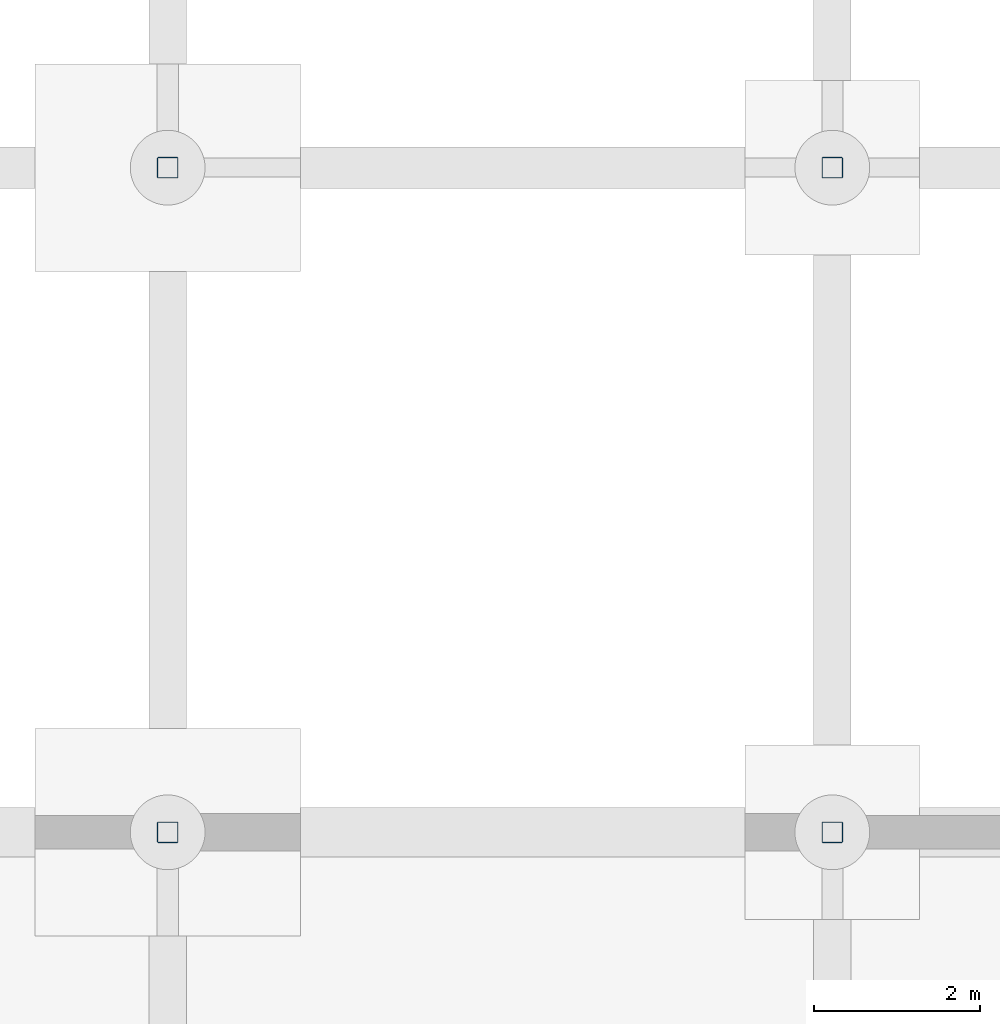
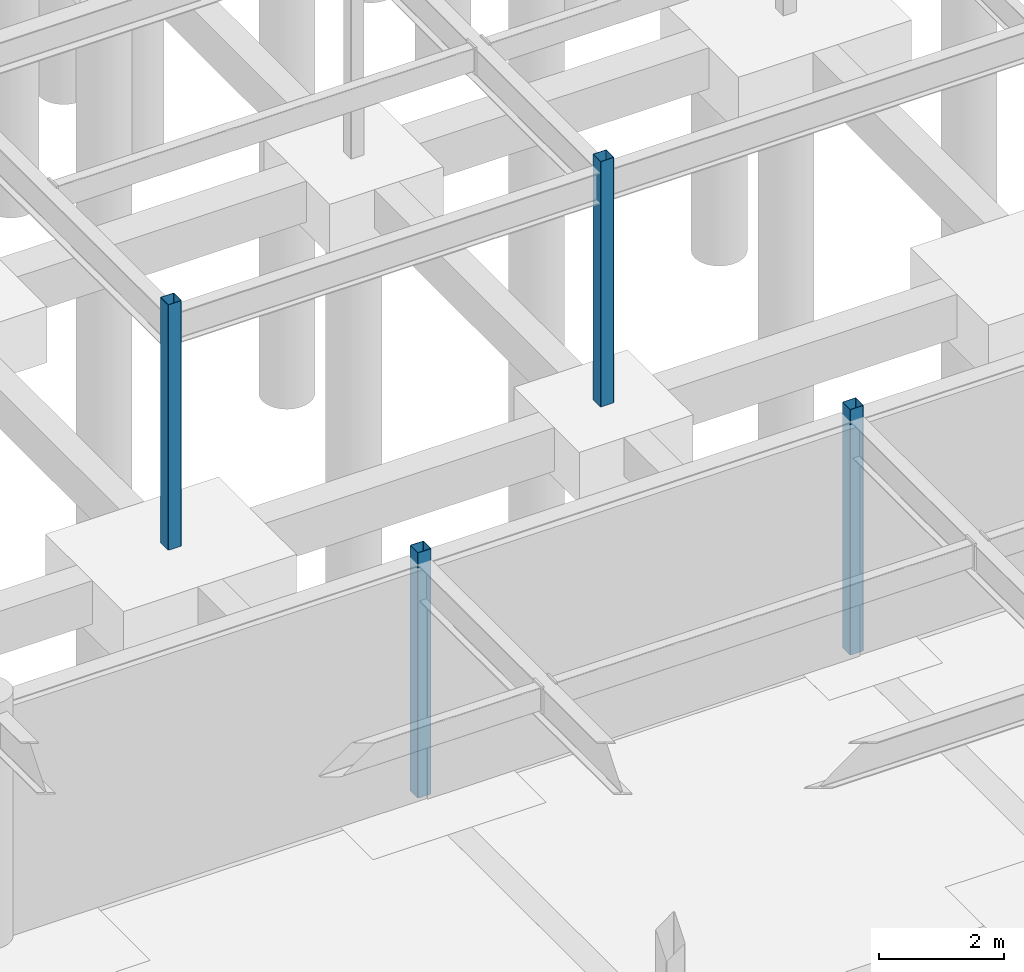
# One storey, part 24 of 105: 4 columns.
"""IFC4 building model written with IfcOpenShell, lengths in metres."""

from ifc_helpers import new_model, si_unit, direction, frame, origin, origin_2d, place, context, subcontext, project, spatial, hollow_rectangle, extrude, material, material_profile, profile_set, type_object, element, save


model = new_model("IFC4")

# Units and contexts
model_context = context("Model", 3, precision=1e-05, world=origin(), true_north=direction((0.0, 1.0)))
body_context = subcontext(model_context, "Body", "Model", "MODEL_VIEW")
ifc_project = project(units=[si_unit("LENGTHUNIT", "METRE"), si_unit("AREAUNIT", "SQUARE_METRE"), si_unit("VOLUMEUNIT", "CUBIC_METRE"), si_unit("PLANEANGLEUNIT", "RADIAN"), si_unit("MASSUNIT", "GRAM", prefix="KILO")], contexts=[model_context])

# Site, building, storey
site_placement = place(None, origin())
site = spatial("IfcSite", under=ifc_project, at=site_placement, CompositionType="ELEMENT")
building_placement = place(site_placement, origin())
building = spatial("IfcBuilding", under=site, at=building_placement, Name="Solmirada Galleria", CompositionType="ELEMENT")
storey_placement = place(building_placement, frame((0.0, 0.0, -4.800048828125)))
storey = spatial("IfcBuildingStorey", under=building, at=storey_placement, Name="B1", CompositionType="ELEMENT", Elevation=-4.800048828125)

# Columns
ifc_material = material(Name="Steel S355 / ASTM A500 Grade C", Category="steel")
ifc_material_profile = material_profile(ifc_material, hollow_rectangle(XDim=0.25390625, YDim=0.25390625, WallThickness=0.0087890625, InnerFilletRadius=0.0087890625, OuterFilletRadius=0.017822265625, at=origin_2d()), Name="HSS10X10X3/8")
ifc_profile_set = profile_set([ifc_material_profile], Name="Steel S355 / ASTM A500 Grade C")
column_type = type_object("IfcColumnType", Name="COL-HSS10", PredefinedType="COLUMN", material=ifc_profile_set)
for number, where, z_axis, x_axis, name in (
    (1, (120.0, 48.0, 0.0), (0.0, 0.0, 1.0), (1.0, 0.0, 0.0), "Structural column B1-0962"),
    (2, (120.0, 56.0, 0.0), (0.0, 0.0, 1.0), (1.0, 0.0, 0.0), "Structural column B1-0964"),
    (3, (128.0, 48.0, 0.0), (0.0, 0.0, 1.0), (1.0, 0.0, 0.0), "Structural column B1-1045"),
    (4, (128.0, 56.0, 0.0), (0.0, 0.0, 1.0), (1.0, 0.0, 0.0), "Structural column B1-1047"),
):
    element("IfcColumn", number, at=place(storey_placement, frame(where, z_axis=z_axis, x_axis=x_axis)), inside=storey, type_object=column_type, Name=name, PredefinedType="COLUMN", context=body_context, shape_type="SweptSolid", body=[
        extrude(hollow_rectangle(XDim=0.25390625, YDim=0.25390625, WallThickness=0.0087890625, InnerFilletRadius=0.0087890625, OuterFilletRadius=0.017822265625, at=origin_2d()), origin(), (0.0, 0.0, 1.0), 4.800048828125),
    ])

save(model, "model.ifc")
